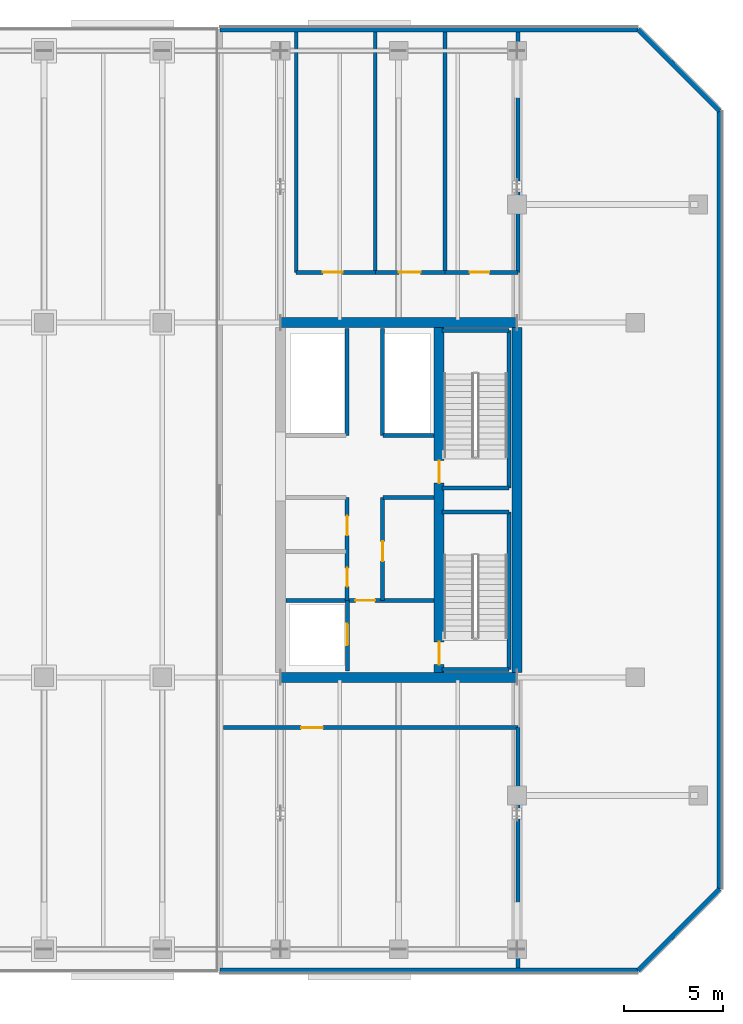
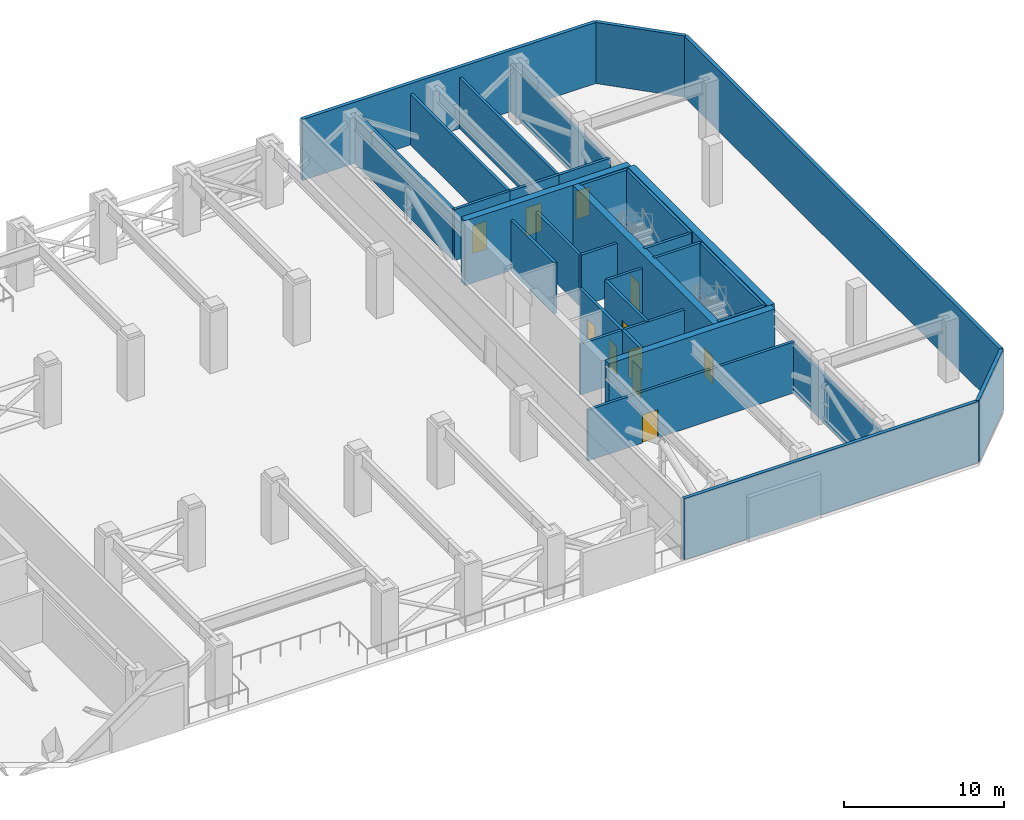
# One storey, part 14 of 21: 32 walls, 11 doors, 11 openings.
"""IFC4 building model written with IfcOpenShell, lengths in metres."""

from ifc_helpers import new_model, si_unit, direction, frame, frame_2d, origin, place, context, subcontext, project, spatial, rectangle, extrude, material, layer, layer_set, type_object, element, fill, save


model = new_model("IFC4")

# Units and contexts
model_context = context("Model", 3, precision=1e-05, world=origin(), true_north=direction((0.0, 1.0)))
body_context = subcontext(model_context, "Body", "Model", "MODEL_VIEW")
ifc_project = project(units=[si_unit("LENGTHUNIT", "METRE"), si_unit("AREAUNIT", "SQUARE_METRE"), si_unit("VOLUMEUNIT", "CUBIC_METRE"), si_unit("PLANEANGLEUNIT", "RADIAN"), si_unit("MASSUNIT", "GRAM", prefix="KILO")], contexts=[model_context])

# Site, building, storey
site_placement = place(None, origin())
site = spatial("IfcSite", under=ifc_project, at=site_placement, CompositionType="ELEMENT")
building_placement = place(site_placement, origin())
building = spatial("IfcBuilding", under=site, at=building_placement, Name="Tanjung Sevakor Pilgrim Tower", CompositionType="ELEMENT")
storey_placement = place(building_placement, frame((0.0, 0.0, 123.090087890625)))
storey = spatial("IfcBuildingStorey", under=building, at=storey_placement, Name="L34", CompositionType="ELEMENT", Elevation=123.090087890625)

# Walls
ifc_material_1 = material(Name="Concrete C60/75", Category="concrete")
ifc_layer_1 = layer(ifc_material_1, 0.5)
ifc_layer_set_1 = layer_set([ifc_layer_1], Name="WALL-CW-500")
wall_type_1 = type_object("IfcWallType", Name="WALL-CW-500", PredefinedType="SHEAR", material=ifc_layer_set_1)
for number, where, z_axis, x_axis, name in (
    (1, (78.0, 24.60009765625, 0.0), (0.0, 0.0, 1.0), (1.0, 0.0, 0.0), "L34 E Core South Shear Wall"),
    (2, (90.0, 42.60009765625, 0.0), (0.0, 0.0, 1.0), (-1.0, 0.0, 0.0), "L34 E Core North Shear Wall"),
):
    element("IfcWall", number, at=place(storey_placement, frame(where, z_axis=z_axis, x_axis=x_axis)), inside=storey, type_object=wall_type_1, Name=name, PredefinedType="SHEAR", context=body_context, shape_type="SweptSolid", body=[
        extrude(rectangle(XDim=12.0, YDim=0.5, at=frame_2d((6.0, 0.0))), origin(), (0.0, 0.0, 1.0), 4.949951171875),
    ])
wall_1_placement = place(storey_placement, frame((90.0, 24.85009765625, 0.0), z_axis=(0.0, 0.0, 1.0), x_axis=(0.0, 1.0, 0.0)))
element("IfcWall", 3, at=wall_1_placement, inside=storey, type_object=wall_type_1, Name="L34 E Core Outer Shear Wall", PredefinedType="SHEAR", context=body_context, shape_type="SweptSolid", body=[
    extrude(rectangle(XDim=17.5, YDim=0.5, at=frame_2d((8.75, 0.0))), origin(), (0.0, 0.0, 1.0), 4.949951171875),
])

# Wall, openings, doors
wall_2_placement = place(storey_placement, frame((86.050048828125, 24.85009765625, 0.0), z_axis=(0.0, 0.0, 1.0), x_axis=(0.0, 1.0, 0.0)))
wall_2 = element("IfcWall", 4, at=wall_2_placement, inside=storey, type_object=wall_type_1, Name="L34 E Core Stair Spine Wall", PredefinedType="SHEAR", context=body_context, shape_type="SweptSolid", body=[
    extrude(rectangle(XDim=17.5, YDim=0.5, at=frame_2d((8.75, 0.0))), origin(), (0.0, 0.0, 1.0), 4.949951171875),
])
opening_1_placement = place(wall_2_placement, frame((0.39990234375, 0.0, 0.0)))
opening_1 = element("IfcOpeningElement", 5, at=opening_1_placement, cuts=wall_2, Name="Opening ID-ST1", PredefinedType="OPENING", context=body_context, shape_type="SweptSolid", body=[
    extrude(rectangle(XDim=1.14990234375, YDim=2.14990234375, at=frame_2d((0.574951171875, 1.074951171875))), frame((0.0, 0.260009765625, 0.0), z_axis=(0.0, -1.0, 0.0), x_axis=(1.0, 0.0, 0.0)), (0.0, 0.0, 1.0), 0.52001953125),
])
opening_2_placement = place(wall_2_placement, frame((9.60009765625, 0.0, 0.0)))
opening_2 = element("IfcOpeningElement", 6, at=opening_2_placement, cuts=wall_2, Name="Opening ID-ST1", PredefinedType="OPENING", context=body_context, shape_type="SweptSolid", body=[
    extrude(rectangle(XDim=1.14990234375, YDim=2.14990234375, at=frame_2d((0.574951171875, 1.074951171875))), frame((0.0, 0.260009765625, 0.0), z_axis=(0.0, -1.0, 0.0), x_axis=(1.0, 0.0, 0.0)), (0.0, 0.0, 1.0), 0.52001953125),
])
ifc_material_2 = material(Name="Fire-Rated Steel S355J2", Category="steel")
door_type_1 = type_object("IfcDoorType", Name="DT-FIRE-1150", OperationType="NOTDEFINED", PredefinedType="DOOR", material=ifc_material_2)
door_1_placement = place(opening_1_placement, origin())
door_1 = element("IfcDoor", 7, at=door_1_placement, inside=storey, type_object=door_type_1, Name="L34 TS-E1 Stair Fire Door", OperationType="SINGLE_SWING_LEFT", OverallHeight=2.14990234375, OverallWidth=1.14990234375, PredefinedType="DOOR", context=body_context, shape_type="SweptSolid", body=[
    extrude(rectangle(XDim=1.14990234375, YDim=2.14990234375, at=frame_2d((0.574951171875, 1.074951171875))), frame((0.0, 0.02490234375, 0.0), z_axis=(0.0, -1.0, 0.0), x_axis=(1.0, 0.0, 0.0)), (0.0, 0.0, 1.0), 0.050048828125),
])
fill(opening_1, door_1)
door_2_placement = place(opening_2_placement, origin())
door_2 = element("IfcDoor", 8, at=door_2_placement, inside=storey, type_object=door_type_1, Name="L34 TS-E2 Stair Fire Door", OperationType="SINGLE_SWING_RIGHT", OverallHeight=2.14990234375, OverallWidth=1.14990234375, PredefinedType="DOOR", context=body_context, shape_type="SweptSolid", body=[
    extrude(rectangle(XDim=1.14990234375, YDim=2.14990234375, at=frame_2d((0.574951171875, 1.074951171875))), frame((0.0, 0.02490234375, 0.0), z_axis=(0.0, -1.0, 0.0), x_axis=(1.0, 0.0, 0.0)), (0.0, 0.0, 1.0), 0.050048828125),
])
fill(opening_2, door_2)

# Walls
ifc_material_3 = material(Name="Precast concrete C45/55", Category="concrete")
ifc_layer_2 = layer(ifc_material_3, 0.25)
ifc_layer_set_2 = layer_set([ifc_layer_2], Name="WT-EW-STN3")
wall_type_2 = type_object("IfcWallType", Name="WT-EW-STN3", PredefinedType="SOLIDWALL", material=ifc_layer_set_2)
wall_3_placement = place(storey_placement, frame((74.925048828125, 9.72509765625, 0.0), z_axis=(0.0, 0.0, 1.0), x_axis=(1.0, 0.0, 0.0)))
element("IfcWall", 9, at=wall_3_placement, inside=storey, type_object=wall_type_2, Name="L34 East Refuge Wing Wall 1", PredefinedType="SOLIDWALL", context=body_context, shape_type="SweptSolid", body=[
    extrude(rectangle(XDim=21.22314453125, YDim=0.25, at=frame_2d((10.611572265625, 0.0))), origin(), (0.0, 0.0, 1.0), 4.669921875),
])
wall_4_placement = place(storey_placement, frame((96.148193359375, 9.72509765625, 0.0), z_axis=(0.0, 0.0, 1.0), x_axis=(0.707106781187, 0.707106781187, 0.0)))
element("IfcWall", 10, at=wall_4_placement, inside=storey, type_object=wall_type_2, Name="L34 East Refuge Wing Wall 2", PredefinedType="SOLIDWALL", context=body_context, shape_type="SweptSolid", body=[
    extrude(rectangle(XDim=5.8359375, YDim=0.25, at=frame_2d((2.91796875, 0.0))), origin(), (0.0, 0.0, 1.0), 4.669921875),
])
wall_5_placement = place(storey_placement, frame((100.27490234375, 13.851806640625, 0.0), z_axis=(0.0, 0.0, 1.0), x_axis=(0.0, 1.0, 0.0)))
element("IfcWall", 11, at=wall_5_placement, inside=storey, type_object=wall_type_2, Name="L34 East Refuge Wing Wall 3", PredefinedType="SOLIDWALL", context=body_context, shape_type="SweptSolid", body=[
    extrude(rectangle(XDim=39.496337890625, YDim=0.25, at=frame_2d((19.748046875, 0.0))), origin(), (0.0, 0.0, 1.0), 4.669921875),
])
wall_6_placement = place(storey_placement, frame((100.27490234375, 53.34814453125, 0.0), z_axis=(0.0, 0.0, 1.0), x_axis=(-0.70708586489, 0.707127696864, 0.0)))
element("IfcWall", 12, at=wall_6_placement, inside=storey, type_object=wall_type_2, Name="L34 East Refuge Wing Wall 4", PredefinedType="SOLIDWALL", context=body_context, shape_type="SweptSolid", body=[
    extrude(rectangle(XDim=5.836181640625, YDim=0.25, at=frame_2d((2.91796875, 0.0))), origin(), (0.0, 0.0, 1.0), 4.669921875),
])
wall_7_placement = place(storey_placement, frame((96.148193359375, 57.47509765625, 0.0), z_axis=(0.0, 0.0, 1.0), x_axis=(-1.0, 0.0, 0.0)))
element("IfcWall", 13, at=wall_7_placement, inside=storey, type_object=wall_type_2, Name="L34 East Refuge Wing Wall 5", PredefinedType="SOLIDWALL", context=body_context, shape_type="SweptSolid", body=[
    extrude(rectangle(XDim=21.22314453125, YDim=0.25, at=frame_2d((10.611572265625, 0.0))), origin(), (0.0, 0.0, 1.0), 4.669921875),
])
ifc_material_4 = material(Name="Concrete C40/50", Category="concrete")
ifc_layer_3 = layer(ifc_material_4, 0.199951171875)
ifc_layer_set_3 = layer_set([ifc_layer_3], Name="WT-FIRE-200")
wall_type_3 = type_object("IfcWallType", Name="WT-FIRE-200", PredefinedType="SOLIDWALL", material=ifc_layer_set_3)
wall_8_placement = place(storey_placement, frame((86.199951171875, 25.0, 0.0), z_axis=(0.0, 0.0, 1.0), x_axis=(1.0, 0.0, 0.0)))
element("IfcWall", 14, at=wall_8_placement, inside=storey, type_object=wall_type_3, Name="L34 TS-E1 Shaft Wall 1", PredefinedType="SOLIDWALL", context=body_context, shape_type="SweptSolid", body=[
    extrude(rectangle(XDim=3.400146484375, YDim=0.199951171875, at=frame_2d((1.7001953125, 0.0))), origin(), (0.0, 0.0, 1.0), 4.949951171875),
])
wall_9_placement = place(storey_placement, frame((89.60009765625, 25.0, 0.0), z_axis=(0.0, 0.0, 1.0), x_axis=(0.0, 1.0, 0.0)))
element("IfcWall", 15, at=wall_9_placement, inside=storey, type_object=wall_type_3, Name="L34 TS-E1 Shaft Wall 2", PredefinedType="SOLIDWALL", context=body_context, shape_type="SweptSolid", body=[
    extrude(rectangle(XDim=8.0, YDim=0.199951171875, at=frame_2d((4.0, 0.0))), origin(), (0.0, 0.0, 1.0), 4.949951171875),
])
for number, where, z_axis, x_axis, name in (
    (16, (89.60009765625, 33.0, 0.0), (0.0, 0.0, 1.0), (-1.0, 0.0, 0.0), "L34 TS-E1 Shaft Wall 3"),
    (17, (86.199951171875, 34.199951171875, 0.0), (0.0, 0.0, 1.0), (1.0, 0.0, 0.0), "L34 TS-E2 Shaft Wall 1"),
):
    element("IfcWall", number, at=place(storey_placement, frame(where, z_axis=z_axis, x_axis=x_axis)), inside=storey, type_object=wall_type_3, Name=name, PredefinedType="SOLIDWALL", context=body_context, shape_type="SweptSolid", body=[
        extrude(rectangle(XDim=3.400146484375, YDim=0.199951171875, at=frame_2d((1.7001953125, 0.0))), origin(), (0.0, 0.0, 1.0), 4.949951171875),
    ])
wall_10_placement = place(storey_placement, frame((89.60009765625, 34.199951171875, 0.0), z_axis=(0.0, 0.0, 1.0), x_axis=(0.0, 1.0, 0.0)))
element("IfcWall", 18, at=wall_10_placement, inside=storey, type_object=wall_type_3, Name="L34 TS-E2 Shaft Wall 2", PredefinedType="SOLIDWALL", context=body_context, shape_type="SweptSolid", body=[
    extrude(rectangle(XDim=8.0, YDim=0.199951171875, at=frame_2d((4.0, 0.0))), origin(), (0.0, 0.0, 1.0), 4.949951171875),
])
wall_11_placement = place(storey_placement, frame((89.60009765625, 42.199951171875, 0.0), z_axis=(0.0, 0.0, 1.0), x_axis=(-1.0, 0.0, 0.0)))
element("IfcWall", 19, at=wall_11_placement, inside=storey, type_object=wall_type_3, Name="L34 TS-E2 Shaft Wall 3", PredefinedType="SOLIDWALL", context=body_context, shape_type="SweptSolid", body=[
    extrude(rectangle(XDim=3.400146484375, YDim=0.199951171875, at=frame_2d((1.7001953125, 0.0))), origin(), (0.0, 0.0, 1.0), 4.949951171875),
])

# Wall, opening, door
ifc_material_5 = material(Name="Concrete C40/50", Category="concrete")
ifc_layer_4 = layer(ifc_material_5, 0.199951171875)
ifc_layer_set_4 = layer_set([ifc_layer_4], Name="WT-FPRT-200")
wall_type_4 = type_object("IfcWallType", Name="WT-FPRT-200", PredefinedType="SOLIDWALL", material=ifc_layer_set_4)
wall_12_placement = place(storey_placement, frame((81.39990234375, 24.919921875, 0.0), z_axis=(0.0, 0.0, 1.0), x_axis=(0.0, 1.0, 0.0)))
wall_12 = element("IfcWall", 20, at=wall_12_placement, inside=storey, type_object=wall_type_4, Name="L34 Partition IW-L34-012", PredefinedType="SOLIDWALL", context=body_context, shape_type="SweptSolid", body=[
    extrude(rectangle(XDim=3.580078125, YDim=0.199951171875, at=frame_2d((1.7900390625, 0.0))), origin(), (0.0, 0.0, 1.0), 3.889892578125),
])
opening_3_placement = place(wall_12_placement, frame((1.300048828125, 0.0, 0.0)))
opening_3 = element("IfcOpeningElement", 21, at=opening_3_placement, cuts=wall_12, Name="Opening LD-1100", PredefinedType="OPENING", context=body_context, shape_type="SweptSolid", body=[
    extrude(rectangle(XDim=1.10009765625, YDim=2.199951171875, at=frame_2d((0.550048828125, 1.10009765625))), frame((0.0, 0.10986328125, 0.0), z_axis=(0.0, -1.0, 0.0), x_axis=(1.0, 0.0, 0.0)), (0.0, 0.0, 1.0), 0.219970703125),
])
ifc_material_6 = material(Name="Brushed Stainless Steel S355J2", Category="steel")
door_type_2 = type_object("IfcDoorType", Name="DT-LIFT-1100", OperationType="SLIDING_TO_LEFT", PredefinedType="DOOR", material=ifc_material_6)
door_3_placement = place(opening_3_placement, origin())
door_3 = element("IfcDoor", 22, at=door_3_placement, inside=storey, type_object=door_type_2, Name="LD-FL-E", OperationType="SLIDING_TO_LEFT", OverallHeight=2.199951171875, OverallWidth=1.10009765625, PredefinedType="DOOR", context=body_context, shape_type="SweptSolid", body=[
    extrude(rectangle(XDim=1.10009765625, YDim=2.199951171875, at=frame_2d((0.550048828125, 1.10009765625))), frame((0.0, 0.02490234375, 0.0), z_axis=(0.0, -1.0, 0.0), x_axis=(1.0, 0.0, 0.0)), (0.0, 0.0, 1.0), 0.050048828125),
])
fill(opening_3, door_3)

wall_13_placement = place(storey_placement, frame((78.27001953125, 28.5, 0.0), z_axis=(0.0, 0.0, 1.0), x_axis=(1.0, 0.0, 0.0)))
wall_13 = element("IfcWall", 23, at=wall_13_placement, inside=storey, type_object=wall_type_4, Name="L34 Partition IW-L34-013", PredefinedType="SOLIDWALL", context=body_context, shape_type="SweptSolid", body=[
    extrude(rectangle(XDim=7.510009765625, YDim=0.199951171875, at=frame_2d((3.7548828125, 0.0))), origin(), (0.0, 0.0, 1.0), 3.889892578125),
])
opening_4_placement = place(wall_13_placement, frame((3.530029296875, 0.0, 0.0)))
opening_4 = element("IfcOpeningElement", 24, at=opening_4_placement, cuts=wall_13, Name="Opening ID-FD1", PredefinedType="OPENING", context=body_context, shape_type="SweptSolid", body=[
    extrude(rectangle(XDim=1.0, YDim=2.14990234375, at=frame_2d((0.5, 1.074951171875))), frame((0.0, 0.10986328125, 0.0), z_axis=(0.0, -1.0, 0.0), x_axis=(1.0, 0.0, 0.0)), (0.0, 0.0, 1.0), 0.219970703125),
])
ifc_material_7 = material(Name="Fire-Rated Steel S355J2", Category="steel")
door_type_3 = type_object("IfcDoorType", Name="DT-FIRE-1000", OperationType="NOTDEFINED", PredefinedType="DOOR", material=ifc_material_7)
door_4_placement = place(opening_4_placement, origin())
door_4 = element("IfcDoor", 25, at=door_4_placement, inside=storey, type_object=door_type_3, Name="Fire Lobby Door E", OperationType="SINGLE_SWING_RIGHT", OverallHeight=2.14990234375, OverallWidth=1.0, PredefinedType="DOOR", context=body_context, shape_type="SweptSolid", body=[
    extrude(rectangle(XDim=1.0, YDim=2.14990234375, at=frame_2d((0.5, 1.074951171875))), frame((0.0, 0.02490234375, 0.0), z_axis=(0.0, -1.0, 0.0), x_axis=(1.0, 0.0, 0.0)), (0.0, 0.0, 1.0), 0.050048828125),
])
fill(opening_4, door_4)

# Wall
wall_14_placement = place(storey_placement, frame((83.199951171875, 33.719970703125, 0.0), z_axis=(0.0, 0.0, 1.0), x_axis=(1.0, 0.0, 0.0)))
element("IfcWall", 26, at=wall_14_placement, inside=storey, type_object=wall_type_4, Name="L34 Partition IW-L34-014", PredefinedType="SOLIDWALL", context=body_context, shape_type="SweptSolid", body=[
    extrude(rectangle(XDim=2.580078125, YDim=0.199951171875, at=frame_2d((1.2900390625, 0.0))), origin(), (0.0, 0.0, 1.0), 3.889892578125),
])

# Wall, opening, door
wall_15_placement = place(storey_placement, frame((83.179931640625, 28.5, 0.0), z_axis=(0.0, 0.0, 1.0), x_axis=(0.0, 1.0, 0.0)))
wall_15 = element("IfcWall", 27, at=wall_15_placement, inside=storey, type_object=wall_type_4, Name="L34 Partition IW-L34-015", PredefinedType="SOLIDWALL", context=body_context, shape_type="SweptSolid", body=[
    extrude(rectangle(XDim=5.219970703125, YDim=0.199951171875, at=frame_2d((2.60986328125, 0.0))), origin(), (0.0, 0.0, 1.0), 3.889892578125),
])
opening_5_placement = place(wall_15_placement, frame((2.0, 0.0, 0.0)))
opening_5 = element("IfcOpeningElement", 28, at=opening_5_placement, cuts=wall_15, Name="Opening ID-FD1", PredefinedType="OPENING", context=body_context, shape_type="SweptSolid", body=[
    extrude(rectangle(XDim=1.0, YDim=2.14990234375, at=frame_2d((0.5, 1.074951171875))), frame((0.0, 0.10986328125, 0.0), z_axis=(0.0, -1.0, 0.0), x_axis=(1.0, 0.0, 0.0)), (0.0, 0.0, 1.0), 0.219970703125),
])
door_5_placement = place(opening_5_placement, origin())
door_5 = element("IfcDoor", 29, at=door_5_placement, inside=storey, type_object=door_type_3, Name="L34 Core Plant Door", OperationType="SINGLE_SWING_LEFT", OverallHeight=2.14990234375, OverallWidth=1.0, PredefinedType="DOOR", context=body_context, shape_type="SweptSolid", body=[
    extrude(rectangle(XDim=1.0, YDim=2.14990234375, at=frame_2d((0.5, 1.074951171875))), frame((0.0, 0.02490234375, 0.0), z_axis=(0.0, -1.0, 0.0), x_axis=(1.0, 0.0, 0.0)), (0.0, 0.0, 1.0), 0.050048828125),
])
fill(opening_5, door_5)

# Wall, openings, doors
wall_16_placement = place(storey_placement, frame((81.3798828125, 28.5, 0.0), z_axis=(0.0, 0.0, 1.0), x_axis=(0.0, 1.0, 0.0)))
wall_16 = element("IfcWall", 30, at=wall_16_placement, inside=storey, type_object=wall_type_4, Name="L34 Partition IW-L34-018", PredefinedType="SOLIDWALL", context=body_context, shape_type="SweptSolid", body=[
    extrude(rectangle(XDim=5.219970703125, YDim=0.199951171875, at=frame_2d((2.60986328125, 0.0))), origin(), (0.0, 0.0, 1.0), 3.889892578125),
])
opening_6_placement = place(wall_16_placement, frame((0.699951171875, 0.0, 0.0)))
opening_6 = element("IfcOpeningElement", 31, at=opening_6_placement, cuts=wall_16, Name="Opening ID-FD2", PredefinedType="OPENING", context=body_context, shape_type="SweptSolid", body=[
    extrude(rectangle(XDim=0.949951171875, YDim=2.14990234375, at=frame_2d((0.47509765625, 1.074951171875))), frame((0.0, 0.10986328125, 0.0), z_axis=(0.0, -1.0, 0.0), x_axis=(1.0, 0.0, 0.0)), (0.0, 0.0, 1.0), 0.219970703125),
])
opening_7_placement = place(wall_16_placement, frame((3.300048828125, 0.0, 0.0)))
opening_7 = element("IfcOpeningElement", 32, at=opening_7_placement, cuts=wall_16, Name="Opening ID-FD1", PredefinedType="OPENING", context=body_context, shape_type="SweptSolid", body=[
    extrude(rectangle(XDim=1.0, YDim=2.14990234375, at=frame_2d((0.5, 1.074951171875))), frame((0.0, 0.10986328125, 0.0), z_axis=(0.0, -1.0, 0.0), x_axis=(1.0, 0.0, 0.0)), (0.0, 0.0, 1.0), 0.219970703125),
])
door_6_placement = place(opening_7_placement, origin())
door_6 = element("IfcDoor", 33, at=door_6_placement, inside=storey, type_object=door_type_3, Name="L34 Core AHU Plant Door", OperationType="SINGLE_SWING_LEFT", OverallHeight=2.14990234375, OverallWidth=1.0, PredefinedType="DOOR", context=body_context, shape_type="SweptSolid", body=[
    extrude(rectangle(XDim=1.0, YDim=2.14990234375, at=frame_2d((0.5, 1.074951171875))), frame((0.0, 0.02490234375, 0.0), z_axis=(0.0, -1.0, 0.0), x_axis=(1.0, 0.0, 0.0)), (0.0, 0.0, 1.0), 0.050048828125),
])
fill(opening_7, door_6)
ifc_material_8 = material(Name="Fire-Rated Timber", Category="wood")
door_type_4 = type_object("IfcDoorType", Name="DT-FIRE-950", OperationType="NOTDEFINED", PredefinedType="DOOR", material=ifc_material_8)
door_7_placement = place(opening_6_placement, origin())
door_7 = element("IfcDoor", 34, at=door_7_placement, inside=storey, type_object=door_type_4, Name="L34 Core Accessible WC Door", OperationType="SINGLE_SWING_RIGHT", OverallHeight=2.14990234375, OverallWidth=0.949951171875, PredefinedType="DOOR", context=body_context, shape_type="SweptSolid", body=[
    extrude(rectangle(XDim=0.949951171875, YDim=2.14990234375, at=frame_2d((0.47509765625, 1.074951171875))), frame((0.0, 0.02490234375, 0.0), z_axis=(0.0, -1.0, 0.0), x_axis=(1.0, 0.0, 0.0)), (0.0, 0.0, 1.0), 0.050048828125),
])
fill(opening_6, door_7)

# Walls
wall_17_placement = place(storey_placement, frame((83.199951171875, 36.8798828125, 0.0), z_axis=(0.0, 0.0, 1.0), x_axis=(1.0, 0.0, 0.0)))
element("IfcWall", 35, at=wall_17_placement, inside=storey, type_object=wall_type_4, Name="L34 Partition IW-L34-019", PredefinedType="SOLIDWALL", context=body_context, shape_type="SweptSolid", body=[
    extrude(rectangle(XDim=2.580078125, YDim=0.199951171875, at=frame_2d((1.2900390625, 0.0))), origin(), (0.0, 0.0, 1.0), 3.889892578125),
])
for number, where, z_axis, x_axis, name in (
    (36, (83.179931640625, 36.8798828125, 0.0), (0.0, 0.0, 1.0), (0.0, 1.0, 0.0), "L34 Partition IW-L34-020"),
    (37, (81.3798828125, 36.8798828125, 0.0), (0.0, 0.0, 1.0), (0.0, 1.0, 0.0), "L34 Partition IW-L34-022"),
):
    element("IfcWall", number, at=place(storey_placement, frame(where, z_axis=z_axis, x_axis=x_axis)), inside=storey, type_object=wall_type_4, Name=name, PredefinedType="SOLIDWALL", context=body_context, shape_type="SweptSolid", body=[
        extrude(rectangle(XDim=5.420166015625, YDim=0.199951171875, at=frame_2d((2.7099609375, 0.0))), origin(), (0.0, 0.0, 1.0), 3.889892578125),
    ])

# Wall, opening, door
wall_18_placement = place(storey_placement, frame((75.10009765625, 22.050048828125, 0.0), z_axis=(0.0, 0.0, 1.0), x_axis=(1.0, 0.0, 0.0)))
wall_18 = element("IfcWall", 38, at=wall_18_placement, inside=storey, type_object=wall_type_4, Name="L34 Partition IW-L34-031", PredefinedType="SOLIDWALL", context=body_context, shape_type="SweptSolid", body=[
    extrude(rectangle(XDim=14.949951171875, YDim=0.199951171875, at=frame_2d((7.47509765625, 0.0))), origin(), (0.0, 0.0, 1.0), 3.889892578125),
])
opening_8_placement = place(wall_18_placement, frame((3.949951171875, 0.0, 0.0)))
opening_8 = element("IfcOpeningElement", 39, at=opening_8_placement, cuts=wall_18, Name="Opening ID-FD0", PredefinedType="OPENING", context=body_context, shape_type="SweptSolid", body=[
    extrude(rectangle(XDim=1.10009765625, YDim=2.14990234375, at=frame_2d((0.550048828125, 1.074951171875))), frame((0.0, 0.10986328125, 0.0), z_axis=(0.0, -1.0, 0.0), x_axis=(1.0, 0.0, 0.0)), (0.0, 0.0, 1.0), 0.219970703125),
])
ifc_material_9 = material(Name="Fire-Rated Steel S355J2", Category="steel")
door_type_5 = type_object("IfcDoorType", Name="DT-FIRE-1100", OperationType="NOTDEFINED", PredefinedType="DOOR", material=ifc_material_9)
door_8_placement = place(opening_8_placement, origin())
door_8 = element("IfcDoor", 40, at=door_8_placement, inside=storey, type_object=door_type_5, Name="L34 Refuge East Lobby Door", OperationType="SINGLE_SWING_LEFT", OverallHeight=2.14990234375, OverallWidth=1.10009765625, PredefinedType="DOOR", context=body_context, shape_type="SweptSolid", body=[
    extrude(rectangle(XDim=1.10009765625, YDim=2.14990234375, at=frame_2d((0.550048828125, 1.074951171875))), frame((0.0, 0.02490234375, 0.0), z_axis=(0.0, -1.0, 0.0), x_axis=(1.0, 0.0, 0.0)), (0.0, 0.0, 1.0), 0.050048828125),
])
fill(opening_8, door_8)

# Wall
wall_19_placement = place(storey_placement, frame((90.050048828125, 9.85009765625, 0.0), z_axis=(0.0, 0.0, 1.0), x_axis=(0.0, 1.0, 0.0)))
element("IfcWall", 41, at=wall_19_placement, inside=storey, type_object=wall_type_4, Name="L34 Partition IW-L34-032", PredefinedType="SOLIDWALL", context=body_context, shape_type="SweptSolid", body=[
    extrude(rectangle(XDim=12.199951171875, YDim=0.199951171875, at=frame_2d((6.10009765625, 0.0))), origin(), (0.0, 0.0, 1.0), 3.64697265625),
])

# Wall, opening, door
wall_20_placement = place(storey_placement, frame((78.800048828125, 45.14990234375, 0.0), z_axis=(0.0, 0.0, 1.0), x_axis=(1.0, 0.0, 0.0)))
wall_20 = element("IfcWall", 42, at=wall_20_placement, inside=storey, type_object=wall_type_4, Name="L34 Partition IW-L34-033", PredefinedType="SOLIDWALL", context=body_context, shape_type="SweptSolid", body=[
    extrude(rectangle(XDim=4.010009765625, YDim=0.199951171875, at=frame_2d((2.0048828125, 0.0))), origin(), (0.0, 0.0, 1.0), 3.889892578125),
])
opening_9_placement = place(wall_20_placement, frame((1.35009765625, 0.0, 0.0)))
opening_9 = element("IfcOpeningElement", 43, at=opening_9_placement, cuts=wall_20, Name="Opening ID-FD1", PredefinedType="OPENING", context=body_context, shape_type="SweptSolid", body=[
    extrude(rectangle(XDim=1.0, YDim=2.14990234375, at=frame_2d((0.5, 1.074951171875))), frame((0.0, 0.10986328125, 0.0), z_axis=(0.0, -1.0, 0.0), x_axis=(1.0, 0.0, 0.0)), (0.0, 0.0, 1.0), 0.219970703125),
])
door_9_placement = place(opening_9_placement, origin())
door_9 = element("IfcDoor", 44, at=door_9_placement, inside=storey, type_object=door_type_3, Name="L34 Booster Pump Door", OperationType="SINGLE_SWING_RIGHT", OverallHeight=2.14990234375, OverallWidth=1.0, PredefinedType="DOOR", context=body_context, shape_type="SweptSolid", body=[
    extrude(rectangle(XDim=1.0, YDim=2.14990234375, at=frame_2d((0.5, 1.074951171875))), frame((0.0, 0.02490234375, 0.0), z_axis=(0.0, -1.0, 0.0), x_axis=(1.0, 0.0, 0.0)), (0.0, 0.0, 1.0), 0.050048828125),
])
fill(opening_9, door_9)

# Walls
for number, where, z_axis, x_axis, name in (
    (45, (78.800048828125, 45.14990234375, 0.0), (0.0, 0.0, 1.0), (0.0, 1.0, 0.0), "L34 Partition IW-L34-034"),
    (46, (82.81005859375, 45.14990234375, 0.0), (0.0, 0.0, 1.0), (0.0, 1.0, 0.0), "L34 Partition IW-L34-035"),
):
    element("IfcWall", number, at=place(storey_placement, frame(where, z_axis=z_axis, x_axis=x_axis)), inside=storey, type_object=wall_type_4, Name=name, PredefinedType="SOLIDWALL", context=body_context, shape_type="SweptSolid", body=[
        extrude(rectangle(XDim=12.2001953125, YDim=0.199951171875, at=frame_2d((6.10009765625, 0.0))), origin(), (0.0, 0.0, 1.0), 3.889892578125),
    ])

# Wall, opening, door
wall_21_placement = place(storey_placement, frame((82.81005859375, 45.14990234375, 0.0), z_axis=(0.0, 0.0, 1.0), x_axis=(1.0, 0.0, 0.0)))
wall_21 = element("IfcWall", 47, at=wall_21_placement, inside=storey, type_object=wall_type_4, Name="L34 Partition IW-L34-036", PredefinedType="SOLIDWALL", context=body_context, shape_type="SweptSolid", body=[
    extrude(rectangle(XDim=3.5400390625, YDim=0.199951171875, at=frame_2d((1.77001953125, 0.0))), origin(), (0.0, 0.0, 1.0), 3.889892578125),
])
opening_10_placement = place(wall_21_placement, frame((1.199951171875, 0.0, 0.0)))
opening_10 = element("IfcOpeningElement", 48, at=opening_10_placement, cuts=wall_21, Name="Opening ID-FD0", PredefinedType="OPENING", context=body_context, shape_type="SweptSolid", body=[
    extrude(rectangle(XDim=1.10009765625, YDim=2.14990234375, at=frame_2d((0.550048828125, 1.074951171875))), frame((0.0, 0.10986328125, 0.0), z_axis=(0.0, -1.0, 0.0), x_axis=(1.0, 0.0, 0.0)), (0.0, 0.0, 1.0), 0.219970703125),
])
door_10_placement = place(opening_10_placement, origin())
door_10 = element("IfcDoor", 49, at=door_10_placement, inside=storey, type_object=door_type_5, Name="L34 Chiller Plant Door", OperationType="SINGLE_SWING_LEFT", OverallHeight=2.14990234375, OverallWidth=1.10009765625, PredefinedType="DOOR", context=body_context, shape_type="SweptSolid", body=[
    extrude(rectangle(XDim=1.10009765625, YDim=2.14990234375, at=frame_2d((0.550048828125, 1.074951171875))), frame((0.0, 0.02490234375, 0.0), z_axis=(0.0, -1.0, 0.0), x_axis=(1.0, 0.0, 0.0)), (0.0, 0.0, 1.0), 0.050048828125),
])
fill(opening_10, door_10)

# Wall
wall_22_placement = place(storey_placement, frame((86.35009765625, 45.14990234375, 0.0), z_axis=(0.0, 0.0, 1.0), x_axis=(0.0, 1.0, 0.0)))
element("IfcWall", 50, at=wall_22_placement, inside=storey, type_object=wall_type_4, Name="L34 Partition IW-L34-037", PredefinedType="SOLIDWALL", context=body_context, shape_type="SweptSolid", body=[
    extrude(rectangle(XDim=12.2001953125, YDim=0.199951171875, at=frame_2d((6.10009765625, 0.0))), origin(), (0.0, 0.0, 1.0), 3.889892578125),
])

# Wall, opening, door
wall_23_placement = place(storey_placement, frame((86.35009765625, 45.14990234375, 0.0), z_axis=(0.0, 0.0, 1.0), x_axis=(1.0, 0.0, 0.0)))
wall_23 = element("IfcWall", 51, at=wall_23_placement, inside=storey, type_object=wall_type_4, Name="L34 Partition IW-L34-038", PredefinedType="SOLIDWALL", context=body_context, shape_type="SweptSolid", body=[
    extrude(rectangle(XDim=3.699951171875, YDim=0.199951171875, at=frame_2d((1.85009765625, 0.0))), origin(), (0.0, 0.0, 1.0), 3.889892578125),
])
opening_11_placement = place(wall_23_placement, frame((1.25, 0.0, 0.0)))
opening_11 = element("IfcOpeningElement", 52, at=opening_11_placement, cuts=wall_23, Name="Opening ID-FD1", PredefinedType="OPENING", context=body_context, shape_type="SweptSolid", body=[
    extrude(rectangle(XDim=1.0, YDim=2.14990234375, at=frame_2d((0.5, 1.074951171875))), frame((0.0, 0.10986328125, 0.0), z_axis=(0.0, -1.0, 0.0), x_axis=(1.0, 0.0, 0.0)), (0.0, 0.0, 1.0), 0.219970703125),
])
door_11_placement = place(opening_11_placement, origin())
door_11 = element("IfcDoor", 53, at=door_11_placement, inside=storey, type_object=door_type_3, Name="L34 East Mechanical Plant Door", OperationType="SINGLE_SWING_RIGHT", OverallHeight=2.14990234375, OverallWidth=1.0, PredefinedType="DOOR", context=body_context, shape_type="SweptSolid", body=[
    extrude(rectangle(XDim=1.0, YDim=2.14990234375, at=frame_2d((0.5, 1.074951171875))), frame((0.0, 0.02490234375, 0.0), z_axis=(0.0, -1.0, 0.0), x_axis=(1.0, 0.0, 0.0)), (0.0, 0.0, 1.0), 0.050048828125),
])
fill(opening_11, door_11)

# Wall
wall_24_placement = place(storey_placement, frame((90.050048828125, 45.14990234375, 0.0), z_axis=(0.0, 0.0, 1.0), x_axis=(0.0, 1.0, 0.0)))
element("IfcWall", 54, at=wall_24_placement, inside=storey, type_object=wall_type_4, Name="L34 Partition IW-L34-039", PredefinedType="SOLIDWALL", context=body_context, shape_type="SweptSolid", body=[
    extrude(rectangle(XDim=12.2001953125, YDim=0.199951171875, at=frame_2d((6.10009765625, 0.0))), origin(), (0.0, 0.0, 1.0), 3.64697265625),
])

save(model, "model.ifc")
